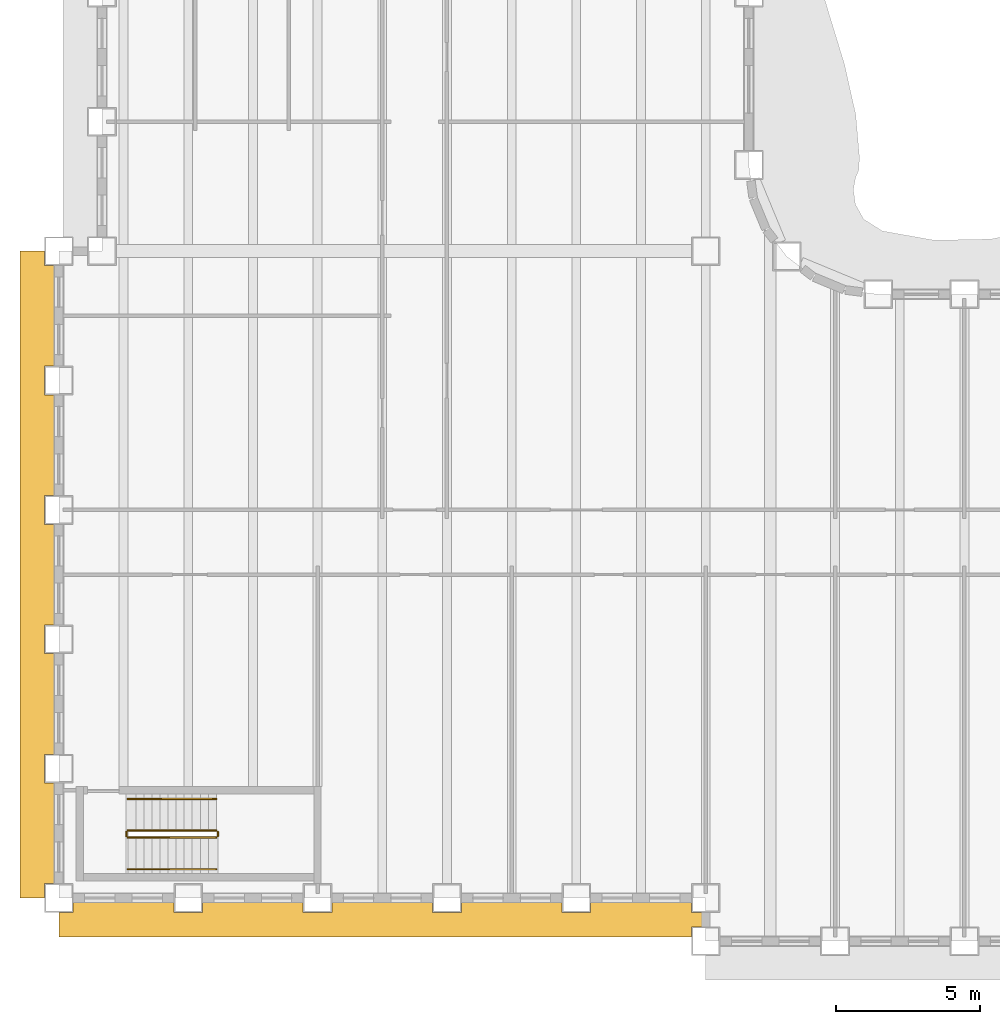
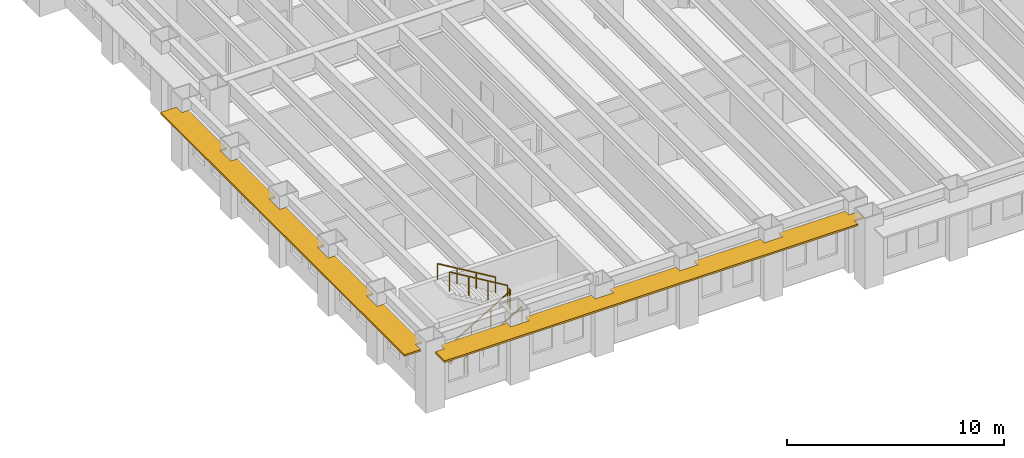
# One storey, part 11 of 16: 6 railings, 2 shading devices.
"""IFC4 building model written with IfcOpenShell, lengths in metres."""

from ifc_helpers import new_model, si_unit, direction, frame, origin, origin_2d, place, context, subcontext, project, spatial, polyline, rectangle, outline, extrude, material, layer, layer_set, type_object, element, save


model = new_model("IFC4")

# Units and contexts
model_context = context("Model", 3, precision=1e-05, world=origin(), true_north=direction((0.0, 1.0)))
body_context = subcontext(model_context, "Body", "Model", "MODEL_VIEW")
ifc_project = project(units=[si_unit("LENGTHUNIT", "METRE"), si_unit("AREAUNIT", "SQUARE_METRE"), si_unit("VOLUMEUNIT", "CUBIC_METRE"), si_unit("PLANEANGLEUNIT", "RADIAN"), si_unit("MASSUNIT", "GRAM", prefix="KILO")], contexts=[model_context])

# Site, building, storey
site_placement = place(None, origin())
site = spatial("IfcSite", under=ifc_project, at=site_placement, CompositionType="ELEMENT")
building_placement = place(site_placement, origin())
building = spatial("IfcBuilding", under=site, at=building_placement, Name="Sennacour Bend Tower", CompositionType="ELEMENT")
storey_placement = place(building_placement, frame((0.0, 0.0, 83.0)))
storey = spatial("IfcBuildingStorey", under=building, at=storey_placement, Name="L18", CompositionType="ELEMENT", Elevation=83.0)

# Railings
ifc_material_1 = material(Name="Stainless steel", Category="steel")
railing_type_1 = type_object("IfcRailingType", Name="RL-GUARD-1100", PredefinedType="GUARDRAIL", material=ifc_material_1)
railing_1_placement = place(storey_placement, frame((2.39990234375, 2.10009765625, 0.166748046875)))
element("IfcRailing", 1, at=railing_1_placement, inside=storey, type_object=railing_type_1, Name="L18 SK1 stair guard 1", PredefinedType="GUARDRAIL", context=body_context, shape_type="SweptSolid", body=[
    extrude(rectangle(XDim=0.048095703125, YDim=0.048095703125, at=origin_2d()), frame((0.0, 0.0, 1.076171875), z_axis=(0.859308565015, 0.0, 0.511457515432), x_axis=(0.0, 1.0, 0.0)), (0.0, 0.0, 1.0), 3.58447265625),
    extrude(rectangle(XDim=0.0419921875, YDim=0.0419921875, at=origin_2d()), origin(), (0.0, 0.0, 1.0), 1.052001953125),
    extrude(rectangle(XDim=0.0419921875, YDim=0.0419921875, at=origin_2d()), frame((1.026611328125, 0.0, 0.611083984375)), (0.0, 0.0, 1.0), 1.052001953125),
    extrude(rectangle(XDim=0.0419921875, YDim=0.0419921875, at=origin_2d()), frame((2.053466796875, 0.0, 1.22216796875)), (0.0, 0.0, 1.0), 1.052001953125),
    extrude(rectangle(XDim=0.0419921875, YDim=0.0419921875, at=origin_2d()), frame((3.080078125, 0.0, 1.833251953125)), (0.0, 0.0, 1.0), 1.052001953125),
])
railing_2_placement = place(storey_placement, frame((5.530029296875, 2.14990234375, 2.0)))
element("IfcRailing", 2, at=railing_2_placement, inside=storey, type_object=railing_type_1, Name="L18 SK1 stair guard 2", PredefinedType="GUARDRAIL", context=body_context, shape_type="SweptSolid", body=[
    extrude(rectangle(XDim=0.048095703125, YDim=0.048095703125, at=origin_2d()), frame((0.0, 0.0, 1.076171875), z_axis=(0.0, 1.0, 0.0), x_axis=(-1.0, 0.0, 0.0)), (0.0, 0.0, 1.0), 0.150146484375),
    extrude(rectangle(XDim=0.0419921875, YDim=0.0419921875, at=origin_2d()), origin(), (0.0, 0.0, 1.0), 1.052001953125),
    extrude(rectangle(XDim=0.0419921875, YDim=0.0419921875, at=origin_2d()), frame((0.0, 0.150146484375, 0.0)), (0.0, 0.0, 1.0), 1.052001953125),
])
railing_3_placement = place(storey_placement, frame((5.47998046875, 2.35009765625, 2.166748046875)))
element("IfcRailing", 3, at=railing_3_placement, inside=storey, type_object=railing_type_1, Name="L18 SK1 stair guard 3", PredefinedType="GUARDRAIL", context=body_context, shape_type="SweptSolid", body=[
    extrude(rectangle(XDim=0.048095703125, YDim=0.048095703125, at=origin_2d()), frame((0.0, 0.0, 1.076171875), z_axis=(-0.859308565015, 0.0, 0.511457515432), x_axis=(0.0, -1.0, 0.0)), (0.0, 0.0, 1.0), 3.58447265625),
    extrude(rectangle(XDim=0.0419921875, YDim=0.0419921875, at=origin_2d()), origin(), (0.0, 0.0, 1.0), 1.052001953125),
    extrude(rectangle(XDim=0.0419921875, YDim=0.0419921875, at=origin_2d()), frame((-1.026611328125, 0.0, 0.611083984375)), (0.0, 0.0, 1.0), 1.052001953125),
    extrude(rectangle(XDim=0.0419921875, YDim=0.0419921875, at=origin_2d()), frame((-2.053466796875, 0.0, 1.22216796875)), (0.0, 0.0, 1.0), 1.052001953125),
    extrude(rectangle(XDim=0.0419921875, YDim=0.0419921875, at=origin_2d()), frame((-3.080078125, 0.0, 1.833251953125)), (0.0, 0.0, 1.0), 1.052001953125),
])
railing_4_placement = place(storey_placement, frame((2.35009765625, 2.14990234375, 0.0)))
element("IfcRailing", 4, at=railing_4_placement, inside=storey, type_object=railing_type_1, Name="L18 SK1 stair guard 4", PredefinedType="GUARDRAIL", context=body_context, shape_type="SweptSolid", body=[
    extrude(rectangle(XDim=0.048095703125, YDim=0.048095703125, at=origin_2d()), frame((0.0, 0.0, 1.076171875), z_axis=(0.0, 1.0, 0.0), x_axis=(-1.0, 0.0, 0.0)), (0.0, 0.0, 1.0), 0.150146484375),
    extrude(rectangle(XDim=0.0419921875, YDim=0.0419921875, at=origin_2d()), origin(), (0.0, 0.0, 1.0), 1.052001953125),
    extrude(rectangle(XDim=0.0419921875, YDim=0.0419921875, at=origin_2d()), frame((0.0, 0.150146484375, 0.0)), (0.0, 0.0, 1.0), 1.052001953125),
])
railing_type_2 = type_object("IfcRailingType", Name="RL-HANDRAIL-900", PredefinedType="HANDRAIL", material=ifc_material_1)
railing_5_placement = place(storey_placement, frame((2.39990234375, 1.0, 0.166748046875)))
element("IfcRailing", 5, at=railing_5_placement, inside=storey, type_object=railing_type_2, Name="L18 SK1 stair handrail 1", PredefinedType="HANDRAIL", context=body_context, shape_type="SweptSolid", body=[
    extrude(rectangle(XDim=0.048095703125, YDim=0.048095703125, at=origin_2d()), frame((0.0, 0.0, 0.8759765625), z_axis=(0.859308565015, 0.0, 0.511457515432), x_axis=(0.0, 1.0, 0.0)), (0.0, 0.0, 1.0), 3.58447265625),
    extrude(rectangle(XDim=0.0419921875, YDim=0.0419921875, at=origin_2d()), origin(), (0.0, 0.0, 1.0), 0.851806640625),
    extrude(rectangle(XDim=0.0419921875, YDim=0.0419921875, at=origin_2d()), frame((1.026611328125, 0.0, 0.611083984375)), (0.0, 0.0, 1.0), 0.851806640625),
    extrude(rectangle(XDim=0.0419921875, YDim=0.0419921875, at=origin_2d()), frame((2.053466796875, 0.0, 1.22216796875)), (0.0, 0.0, 1.0), 0.851806640625),
    extrude(rectangle(XDim=0.0419921875, YDim=0.0419921875, at=origin_2d()), frame((3.080078125, 0.0, 1.833251953125)), (0.0, 0.0, 1.0), 0.851806640625),
])
railing_6_placement = place(storey_placement, frame((5.47998046875, 3.449951171875, 2.166748046875)))
element("IfcRailing", 6, at=railing_6_placement, inside=storey, type_object=railing_type_2, Name="L18 SK1 stair handrail 2", PredefinedType="HANDRAIL", context=body_context, shape_type="SweptSolid", body=[
    extrude(rectangle(XDim=0.048095703125, YDim=0.048095703125, at=origin_2d()), frame((0.0, 0.0, 0.8759765625), z_axis=(-0.859308565015, 0.0, 0.511457515432), x_axis=(0.0, -1.0, 0.0)), (0.0, 0.0, 1.0), 3.58447265625),
    extrude(rectangle(XDim=0.0419921875, YDim=0.0419921875, at=origin_2d()), origin(), (0.0, 0.0, 1.0), 0.851806640625),
    extrude(rectangle(XDim=0.0419921875, YDim=0.0419921875, at=origin_2d()), frame((-1.026611328125, 0.0, 0.611083984375)), (0.0, 0.0, 1.0), 0.851806640625),
    extrude(rectangle(XDim=0.0419921875, YDim=0.0419921875, at=origin_2d()), frame((-2.053466796875, 0.0, 1.22216796875)), (0.0, 0.0, 1.0), 0.851806640625),
    extrude(rectangle(XDim=0.0419921875, YDim=0.0419921875, at=origin_2d()), frame((-3.080078125, 0.0, 1.833251953125)), (0.0, 0.0, 1.0), 0.851806640625),
])

# Shading devices
ifc_material_2 = material(Name="Bronze anodised aluminium", Category="aluminium")
ifc_layer = layer(ifc_material_2, 0.10009765625, Name="Bronze anodised aluminium", Category="aluminium")
ifc_layer_set = layer_set([ifc_layer], Name="Bronze anodised aluminium")
shading_device_type = type_object("IfcShadingDeviceType", Name="SUNSHADE BAND STRAIGHT", PredefinedType="USERDEFINED", material=ifc_layer_set)
shading_device_1_placement = place(storey_placement, frame((0.0, 0.0, 3.053955078125)))
element("IfcShadingDevice", 7, at=shading_device_1_placement, inside=storey, type_object=shading_device_type, Name="Sunshade band L18 K outer face", ObjectType="SUNSHADE", PredefinedType="USERDEFINED", context=body_context, shape_type="SweptSolid", body=[
    extrude(outline(polyline([(-0.14990234375, 18.5), (-0.5, 18.5), (-0.5, 17.5), (-0.14990234375, 17.5), (-0.14990234375, 14.0), (-0.5, 14.0), (-0.5, 13.0), (-0.14990234375, 13.0), (-0.14990234375, 9.5), (-0.5, 9.5), (-0.5, 8.5), (-0.14990234375, 8.5), (-0.14990234375, 5.0), (-0.5, 5.0), (-0.5, 4.0), (-0.14990234375, 4.0), (-0.14990234375, 0.5), (-0.5, 0.5), (-0.5, 0.0), (-1.35009765625, 0.0), (-1.35009765625, 22.5), (-0.5, 22.5), (-0.5, 22.0), (-0.14990234375, 22.0), (-0.14990234375, 18.5)])), origin(), (0.0, 0.0, 1.0), 0.10009765625),
])
shading_device_2_placement = place(storey_placement, frame((0.0, 0.0, 3.053955078125)))
element("IfcShadingDevice", 8, at=shading_device_2_placement, inside=storey, type_object=shading_device_type, Name="Sunshade band L18 K outer face", ObjectType="SUNSHADE", PredefinedType="USERDEFINED", context=body_context, shape_type="SweptSolid", body=[
    extrude(outline(polyline([(4.0, -0.14990234375), (4.0, -0.5), (5.0, -0.5), (5.0, -0.14990234375), (8.5, -0.14990234375), (8.5, -0.5), (9.5, -0.5), (9.5, -0.14990234375), (13.0, -0.14990234375), (13.0, -0.5), (14.0, -0.5), (14.0, -0.14990234375), (17.5, -0.14990234375), (17.5, -0.5), (18.5, -0.5), (18.5, -0.14990234375), (22.0, -0.14990234375), (22.0, -0.5), (22.5, -0.5), (22.5, -1.0), (22.0, -1.0), (22.0, -1.35009765625), (0.0, -1.35009765625), (0.0, -0.5), (0.5, -0.5), (0.5, -0.14990234375), (4.0, -0.14990234375)])), origin(), (0.0, 0.0, 1.0), 0.10009765625),
])

save(model, "model.ifc")
